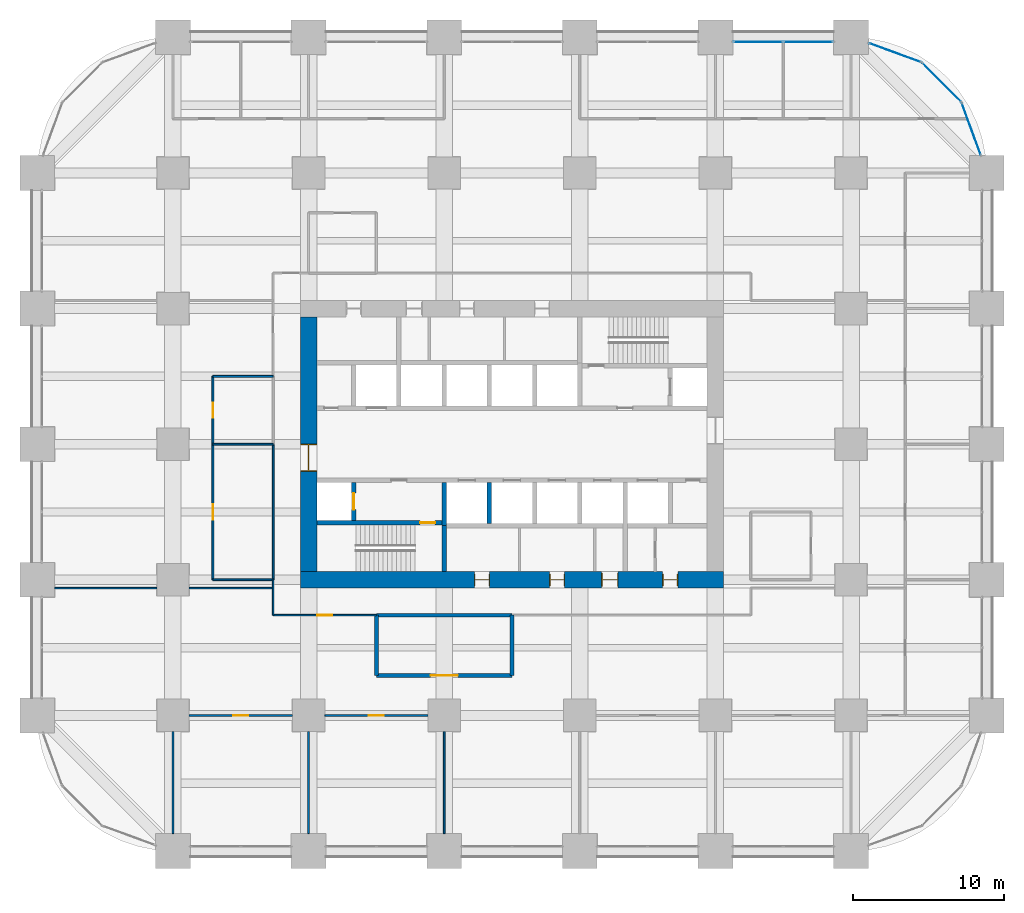
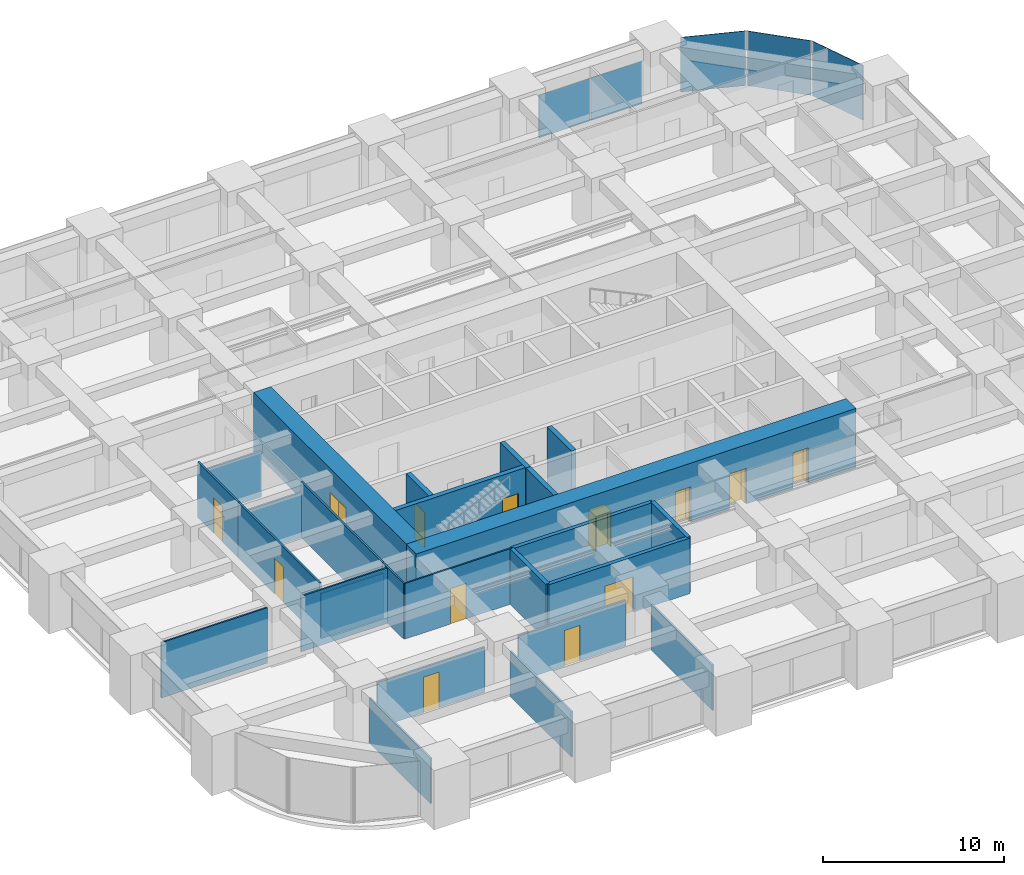
# One storey, part 39 of 44: 26 walls, 13 doors, 5 plates, 13 openings, 4 elements without a shape of their own.
"""IFC4 building model written with IfcOpenShell, lengths in metres."""

from ifc_helpers import new_model, si_unit, direction, frame, frame_2d, origin, origin_2d, place, context, subcontext, project, spatial, rectangle, extrude, material, layer, layer_set, type_object, element, fill, aggregate, save


model = new_model("IFC4")

# Units and contexts
model_context = context("Model", 3, precision=1e-05, world=origin(), true_north=direction((0.0, 1.0)))
body_context = subcontext(model_context, "Body", "Model", "MODEL_VIEW")
ifc_project = project(units=[si_unit("LENGTHUNIT", "METRE"), si_unit("AREAUNIT", "SQUARE_METRE"), si_unit("VOLUMEUNIT", "CUBIC_METRE"), si_unit("PLANEANGLEUNIT", "RADIAN"), si_unit("MASSUNIT", "GRAM", prefix="KILO")], contexts=[model_context])

# Site, building, storey
site_placement = place(None, origin())
site = spatial("IfcSite", under=ifc_project, at=site_placement, CompositionType="ELEMENT")
building_placement = place(site_placement, origin())
building = spatial("IfcBuilding", under=site, at=building_placement, Name="Zorevar Civic Tower", CompositionType="ELEMENT")
storey_placement = place(building_placement, frame((0.0, 0.0, 51.800048828125)))
storey = spatial("IfcBuildingStorey", under=building, at=storey_placement, Name="L12", CompositionType="ELEMENT", Elevation=51.800048828125)

# Curtain wall, plates
ifc_material_1 = material(Name="Dark grey solar-control glass in black aluminium frame", Category="aluminium")
curtain_wall_type = type_object("IfcCurtainWallType", Name="Curtain wall CW2 low zone", PredefinedType="NOTDEFINED", material=ifc_material_1)
curtain_wall_1_placement = place(storey_placement, origin())
curtain_wall_1 = element("IfcCurtainWall", 1, at=curtain_wall_1_placement, inside=storey, type_object=curtain_wall_type, Name="CW2 L12", PredefinedType="NOTDEFINED")
ifc_material_2 = material(Name="Dark grey solar-control glass", Category="glass")
ifc_layer_1 = layer(ifc_material_2, 0.031982421875)
ifc_layer_set_1 = layer_set([ifc_layer_1], Name="CW2 panel 32")
plate_type = type_object("IfcPlateType", Name="CW2 panel 32", PredefinedType="CURTAIN_PANEL", material=ifc_layer_set_1)
plate_1_placement = place(storey_placement, frame((47.840087890625, 53.699951171875, 0.06005859375), z_axis=(0.0, 0.0, 1.0), x_axis=(1.0, 0.0, 0.0)))
plate_1 = element("IfcPlate", 2, at=plate_1_placement, type_object=plate_type, Name="CW2 panel 1.1", PredefinedType="CURTAIN_PANEL", context=body_context, shape_type="SweptSolid", body=[
    extrude(rectangle(XDim=3.260009765625, YDim=0.031982421875, at=origin_2d()), origin(), (0.0, 0.0, 1.0), 2.889892578125),
])
plate_2_placement = place(storey_placement, frame((51.159912109375, 53.699951171875, 0.06005859375), z_axis=(0.0, 0.0, 1.0), x_axis=(1.0, 0.0, 0.0)))
plate_2 = element("IfcPlate", 3, at=plate_2_placement, type_object=plate_type, Name="CW2 panel 2.1", PredefinedType="CURTAIN_PANEL", context=body_context, shape_type="SweptSolid", body=[
    extrude(rectangle(XDim=3.260009765625, YDim=0.031982421875, at=origin_2d()), origin(), (0.0, 0.0, 1.0), 2.889892578125),
])
aggregate(curtain_wall_1, [plate_1, plate_2])

# Curtain wall, plate
curtain_wall_2_placement = place(storey_placement, origin())
curtain_wall_2 = element("IfcCurtainWall", 4, at=curtain_wall_2_placement, inside=storey, type_object=curtain_wall_type, Name="CW2 L12", PredefinedType="NOTDEFINED")
plate_3_placement = place(storey_placement, frame((61.979248046875, 47.914306640625, 0.06005859375), z_axis=(0.0, 0.0, 1.0), x_axis=(-0.343060400701, 0.939313345732, 0.0)))
plate_3 = element("IfcPlate", 5, at=plate_3_placement, type_object=plate_type, Name="CW2 panel 1.1", PredefinedType="CURTAIN_PANEL", context=body_context, shape_type="SweptSolid", body=[
    extrude(rectangle(XDim=3.636474609375, YDim=0.031982421875, at=origin_2d()), origin(), (0.0, 0.0, 1.0), 3.68994140625),
])
aggregate(curtain_wall_2, [plate_3])

curtain_wall_3_placement = place(storey_placement, origin())
curtain_wall_3 = element("IfcCurtainWall", 6, at=curtain_wall_3_placement, inside=storey, type_object=curtain_wall_type, Name="CW2 L12", PredefinedType="NOTDEFINED")
plate_4_placement = place(storey_placement, frame((60.0068359375, 51.0068359375, 0.06005859375), z_axis=(0.0, 0.0, 1.0), x_axis=(-0.707106781187, 0.707106781187, 0.0)))
plate_4 = element("IfcPlate", 7, at=plate_4_placement, type_object=plate_type, Name="CW2 panel 1.1", PredefinedType="CURTAIN_PANEL", context=body_context, shape_type="SweptSolid", body=[
    extrude(rectangle(XDim=3.636474609375, YDim=0.031982421875, at=origin_2d()), origin(), (0.0, 0.0, 1.0), 3.68994140625),
])
aggregate(curtain_wall_3, [plate_4])

curtain_wall_4_placement = place(storey_placement, origin())
curtain_wall_4 = element("IfcCurtainWall", 8, at=curtain_wall_4_placement, inside=storey, type_object=curtain_wall_type, Name="CW2 L12", PredefinedType="NOTDEFINED")
plate_5_placement = place(storey_placement, frame((56.914306640625, 52.979248046875, 0.06005859375), z_axis=(0.0, 0.0, 1.0), x_axis=(-0.939313345732, 0.343060400701, 0.0)))
plate_5 = element("IfcPlate", 9, at=plate_5_placement, type_object=plate_type, Name="CW2 panel 1.1", PredefinedType="CURTAIN_PANEL", context=body_context, shape_type="SweptSolid", body=[
    extrude(rectangle(XDim=3.636474609375, YDim=0.031982421875, at=origin_2d()), origin(), (0.0, 0.0, 1.0), 3.68994140625),
])
aggregate(curtain_wall_4, [plate_5])

# Wall, opening, door
ifc_material_3 = material(Name="Twin-stud acoustic wall, gypsum board")
ifc_layer_2 = layer(ifc_material_3, 0.25)
ifc_layer_set_2 = layer_set([ifc_layer_2], Name="Acoustic wall 250")
wall_type_1 = type_object("IfcWallType", Name="Acoustic wall 250", PredefinedType="PARTITIONING", material=ifc_layer_set_2)
wall_1_placement = place(storey_placement, frame((22.5, 11.64990234375, 0.0), z_axis=(0.0, 0.0, 1.0), x_axis=(1.0, 0.0, 0.0)))
wall_1 = element("IfcWall", 10, at=wall_1_placement, inside=storey, type_object=wall_type_1, Name="Acoustic wall 250 L12", PredefinedType="PARTITIONING", context=body_context, shape_type="SweptSolid", body=[
    extrude(rectangle(XDim=9.0, YDim=0.25, at=frame_2d((4.5, 0.0))), origin(), (0.0, 0.0, 1.0), 3.75),
])
opening_1_placement = place(wall_1_placement, frame((3.60009765625, 0.0, 0.0)))
opening_1 = element("IfcOpeningElement", 11, at=opening_1_placement, cuts=wall_1, Name="Opening L12.22", PredefinedType="OPENING", context=body_context, shape_type="SweptSolid", body=[
    extrude(rectangle(XDim=1.800048828125, YDim=2.39990234375, at=frame_2d((0.89990234375, 1.199951171875))), frame((0.0, 0.135009765625, 0.0), z_axis=(0.0, -1.0, 0.0), x_axis=(1.0, 0.0, 0.0)), (0.0, 0.0, 1.0), 0.27001953125),
])
ifc_material_4 = material(Name="Steel door set", Category="steel")
door_type_1 = type_object("IfcDoorType", Name="Door D2 1800x2400", OperationType="DOUBLE_DOOR_SINGLE_SWING", PredefinedType="DOOR", material=ifc_material_4)
door_1_placement = place(opening_1_placement, origin())
door_1 = element("IfcDoor", 12, at=door_1_placement, inside=storey, type_object=door_type_1, Name="Door L12 D1", OperationType="DOUBLE_DOOR_SINGLE_SWING", OverallHeight=2.39990234375, OverallWidth=1.800048828125, PredefinedType="DOOR", context=body_context, shape_type="SweptSolid", body=[
    extrude(rectangle(XDim=1.800048828125, YDim=2.39990234375, at=frame_2d((0.89990234375, 1.199951171875))), frame((0.0, 0.02490234375, 0.0), z_axis=(0.0, -1.0, 0.0), x_axis=(1.0, 0.0, 0.0)), (0.0, 0.0, 1.0), 0.050048828125),
])
fill(opening_1, door_1)

# Walls
wall_2_placement = place(storey_placement, frame((22.5, 15.64990234375, 0.0), z_axis=(0.0, 0.0, 1.0), x_axis=(1.0, 0.0, 0.0)))
element("IfcWall", 13, at=wall_2_placement, inside=storey, type_object=wall_type_1, Name="Acoustic wall 250 L12", PredefinedType="PARTITIONING", context=body_context, shape_type="SweptSolid", body=[
    extrude(rectangle(XDim=9.0, YDim=0.25, at=frame_2d((4.5, 0.0))), origin(), (0.0, 0.0, 1.0), 3.75),
])
for number, where, z_axis, x_axis, name in (
    (14, (22.5, 11.64990234375, 0.0), (0.0, 0.0, 1.0), (0.0, 1.0, 0.0), "Acoustic wall 250 L12"),
    (15, (31.5, 11.64990234375, 0.0), (0.0, 0.0, 1.0), (0.0, 1.0, 0.0), "Acoustic wall 250 L12"),
):
    element("IfcWall", number, at=place(storey_placement, frame(where, z_axis=z_axis, x_axis=x_axis)), inside=storey, type_object=wall_type_1, Name=name, PredefinedType="PARTITIONING", context=body_context, shape_type="SweptSolid", body=[
        extrude(rectangle(XDim=4.0, YDim=0.25, at=frame_2d((2.0, 0.0))), origin(), (0.0, 0.0, 1.0), 3.75),
    ])

# Wall, openings, doors
ifc_material_5 = material(Name="Concrete C50/60", Category="concrete")
ifc_layer_3 = layer(ifc_material_5, 1.10009765625)
ifc_layer_set_3 = layer_set([ifc_layer_3], Name="Core wall 1100")
wall_type_2 = type_object("IfcWallType", Name="Core wall 1100", PredefinedType="SHEAR", material=ifc_layer_set_3)
wall_3_placement = place(storey_placement, frame((17.449951171875, 18.0, 0.0), z_axis=(0.0, 0.0, 1.0), x_axis=(1.0, 0.0, 0.0)))
wall_3 = element("IfcWall", 16, at=wall_3_placement, inside=storey, type_object=wall_type_2, Name="Core wall S L12", PredefinedType="SHEAR", context=body_context, shape_type="SweptSolid", body=[
    extrude(rectangle(XDim=28.10009765625, YDim=1.10009765625, at=frame_2d((14.050048828125, 0.0))), origin(), (0.0, 0.0, 1.0), 4.0),
])
opening_2_placement = place(wall_3_placement, frame((11.550048828125, 0.0, 0.0)))
opening_2 = element("IfcOpeningElement", 17, at=opening_2_placement, cuts=wall_3, Name="Opening L12.03", PredefinedType="OPENING", context=body_context, shape_type="SweptSolid", body=[
    extrude(rectangle(XDim=1.0, YDim=2.39990234375, at=frame_2d((0.5, 1.199951171875))), frame((0.0, 0.56005859375, 0.0), z_axis=(0.0, -1.0, 0.0), x_axis=(1.0, 0.0, 0.0)), (0.0, 0.0, 1.0), 1.1201171875),
])
opening_3_placement = place(wall_3_placement, frame((16.550048828125, 0.0, 0.0)))
opening_3 = element("IfcOpeningElement", 18, at=opening_3_placement, cuts=wall_3, Name="Opening L12.04", PredefinedType="OPENING", context=body_context, shape_type="SweptSolid", body=[
    extrude(rectangle(XDim=1.0, YDim=2.39990234375, at=frame_2d((0.5, 1.199951171875))), frame((0.0, 0.56005859375, 0.0), z_axis=(0.0, -1.0, 0.0), x_axis=(1.0, 0.0, 0.0)), (0.0, 0.0, 1.0), 1.1201171875),
])
opening_4_placement = place(wall_3_placement, frame((20.0, 0.0, 0.0)))
opening_4 = element("IfcOpeningElement", 19, at=opening_4_placement, cuts=wall_3, Name="Opening L12.05", PredefinedType="OPENING", context=body_context, shape_type="SweptSolid", body=[
    extrude(rectangle(XDim=1.10009765625, YDim=2.39990234375, at=frame_2d((0.550048828125, 1.199951171875))), frame((0.0, 0.56005859375, 0.0), z_axis=(0.0, -1.0, 0.0), x_axis=(1.0, 0.0, 0.0)), (0.0, 0.0, 1.0), 1.1201171875),
])
opening_5_placement = place(wall_3_placement, frame((24.050048828125, 0.0, 0.0)))
opening_5 = element("IfcOpeningElement", 20, at=opening_5_placement, cuts=wall_3, Name="Opening L12.06", PredefinedType="OPENING", context=body_context, shape_type="SweptSolid", body=[
    extrude(rectangle(XDim=1.0, YDim=2.39990234375, at=frame_2d((0.5, 1.199951171875))), frame((0.0, 0.56005859375, 0.0), z_axis=(0.0, -1.0, 0.0), x_axis=(1.0, 0.0, 0.0)), (0.0, 0.0, 1.0), 1.1201171875),
])
ifc_material_6 = material(Name="Timber door set", Category="wood")
door_type_2 = type_object("IfcDoorType", Name="Door D1 1000x2400", OperationType="SINGLE_SWING_LEFT", PredefinedType="DOOR", material=ifc_material_6)
door_2_placement = place(opening_2_placement, origin())
door_2 = element("IfcDoor", 21, at=door_2_placement, inside=storey, type_object=door_type_2, Name="Door L12 02", OperationType="SINGLE_SWING_RIGHT", OverallHeight=2.39990234375, OverallWidth=1.0, PredefinedType="DOOR", context=body_context, shape_type="SweptSolid", body=[
    extrude(rectangle(XDim=1.0, YDim=2.39990234375, at=frame_2d((0.5, 1.199951171875))), frame((0.0, 0.02490234375, 0.0), z_axis=(0.0, -1.0, 0.0), x_axis=(1.0, 0.0, 0.0)), (0.0, 0.0, 1.0), 0.050048828125),
    extrude(rectangle(XDim=0.04, YDim=2.39990234375, at=frame_2d((0.02001953125, 1.199951171875))), frame((0.0, 0.39990234375, 0.0), z_axis=(0.0, -1.0, 0.0), x_axis=(1.0, 0.0, 0.0)), (0.0, 0.0, 1.0), 0.800048828125),
    extrude(rectangle(XDim=0.04, YDim=2.39990234375, at=frame_2d((0.97998046875, 1.199951171875))), frame((0.0, 0.39990234375, 0.0), z_axis=(0.0, -1.0, 0.0), x_axis=(1.0, 0.0, 0.0)), (0.0, 0.0, 1.0), 0.800048828125),
    extrude(rectangle(XDim=1.0, YDim=0.04, at=frame_2d((0.5, 2.3798828125))), frame((0.0, 0.39990234375, 0.0), z_axis=(0.0, -1.0, 0.0), x_axis=(1.0, 0.0, 0.0)), (0.0, 0.0, 1.0), 0.800048828125),
])
fill(opening_2, door_2)
door_3_placement = place(opening_3_placement, origin())
door_3 = element("IfcDoor", 22, at=door_3_placement, inside=storey, type_object=door_type_2, Name="Door L12 03", OperationType="SINGLE_SWING_LEFT", OverallHeight=2.39990234375, OverallWidth=1.0, PredefinedType="DOOR", context=body_context, shape_type="SweptSolid", body=[
    extrude(rectangle(XDim=1.0, YDim=2.39990234375, at=frame_2d((0.5, 1.199951171875))), frame((0.0, 0.02490234375, 0.0), z_axis=(0.0, -1.0, 0.0), x_axis=(1.0, 0.0, 0.0)), (0.0, 0.0, 1.0), 0.050048828125),
    extrude(rectangle(XDim=0.04, YDim=2.39990234375, at=frame_2d((0.02001953125, 1.199951171875))), frame((0.0, 0.39990234375, 0.0), z_axis=(0.0, -1.0, 0.0), x_axis=(1.0, 0.0, 0.0)), (0.0, 0.0, 1.0), 0.800048828125),
    extrude(rectangle(XDim=0.04, YDim=2.39990234375, at=frame_2d((0.97998046875, 1.199951171875))), frame((0.0, 0.39990234375, 0.0), z_axis=(0.0, -1.0, 0.0), x_axis=(1.0, 0.0, 0.0)), (0.0, 0.0, 1.0), 0.800048828125),
    extrude(rectangle(XDim=1.0, YDim=0.04, at=frame_2d((0.5, 2.3798828125))), frame((0.0, 0.39990234375, 0.0), z_axis=(0.0, -1.0, 0.0), x_axis=(1.0, 0.0, 0.0)), (0.0, 0.0, 1.0), 0.800048828125),
])
fill(opening_3, door_3)
door_4_placement = place(opening_5_placement, origin())
door_4 = element("IfcDoor", 23, at=door_4_placement, inside=storey, type_object=door_type_2, Name="Door L12 05", OperationType="SINGLE_SWING_LEFT", OverallHeight=2.39990234375, OverallWidth=1.0, PredefinedType="DOOR", context=body_context, shape_type="SweptSolid", body=[
    extrude(rectangle(XDim=1.0, YDim=2.39990234375, at=frame_2d((0.5, 1.199951171875))), frame((0.0, 0.02490234375, 0.0), z_axis=(0.0, -1.0, 0.0), x_axis=(1.0, 0.0, 0.0)), (0.0, 0.0, 1.0), 0.050048828125),
    extrude(rectangle(XDim=0.04, YDim=2.39990234375, at=frame_2d((0.02001953125, 1.199951171875))), frame((0.0, 0.39990234375, 0.0), z_axis=(0.0, -1.0, 0.0), x_axis=(1.0, 0.0, 0.0)), (0.0, 0.0, 1.0), 0.800048828125),
    extrude(rectangle(XDim=0.04, YDim=2.39990234375, at=frame_2d((0.97998046875, 1.199951171875))), frame((0.0, 0.39990234375, 0.0), z_axis=(0.0, -1.0, 0.0), x_axis=(1.0, 0.0, 0.0)), (0.0, 0.0, 1.0), 0.800048828125),
    extrude(rectangle(XDim=1.0, YDim=0.04, at=frame_2d((0.5, 2.3798828125))), frame((0.0, 0.39990234375, 0.0), z_axis=(0.0, -1.0, 0.0), x_axis=(1.0, 0.0, 0.0)), (0.0, 0.0, 1.0), 0.800048828125),
])
fill(opening_5, door_4)
ifc_material_7 = material(Name="Timber door set", Category="wood")
door_type_3 = type_object("IfcDoorType", Name="Door D5 1100x2400", OperationType="SINGLE_SWING_LEFT", PredefinedType="DOOR", material=ifc_material_7)
door_5_placement = place(opening_4_placement, origin())
door_5 = element("IfcDoor", 24, at=door_5_placement, inside=storey, type_object=door_type_3, Name="Door L12 04", OperationType="SINGLE_SWING_LEFT", OverallHeight=2.39990234375, OverallWidth=1.10009765625, PredefinedType="DOOR", context=body_context, shape_type="SweptSolid", body=[
    extrude(rectangle(XDim=1.10009765625, YDim=2.39990234375, at=frame_2d((0.550048828125, 1.199951171875))), frame((0.0, 0.02490234375, 0.0), z_axis=(0.0, -1.0, 0.0), x_axis=(1.0, 0.0, 0.0)), (0.0, 0.0, 1.0), 0.050048828125),
    extrude(rectangle(XDim=0.04, YDim=2.39990234375, at=frame_2d((0.02001953125, 1.199951171875))), frame((0.0, 0.43994140625, 0.0), z_axis=(0.0, -1.0, 0.0), x_axis=(1.0, 0.0, 0.0)), (0.0, 0.0, 1.0), 0.880126953125),
    extrude(rectangle(XDim=0.04, YDim=2.39990234375, at=frame_2d((1.080078125, 1.199951171875))), frame((0.0, 0.43994140625, 0.0), z_axis=(0.0, -1.0, 0.0), x_axis=(1.0, 0.0, 0.0)), (0.0, 0.0, 1.0), 0.880126953125),
    extrude(rectangle(XDim=1.10009765625, YDim=0.04, at=frame_2d((0.550048828125, 2.3798828125))), frame((0.0, 0.43994140625, 0.0), z_axis=(0.0, -1.0, 0.0), x_axis=(1.0, 0.0, 0.0)), (0.0, 0.0, 1.0), 0.880126953125),
])
fill(opening_4, door_5)

# Wall, opening, door
wall_4_placement = place(storey_placement, frame((18.0, 35.449951171875, 0.0), z_axis=(0.0, 0.0, 1.0), x_axis=(0.0, -1.0, 0.0)))
wall_4 = element("IfcWall", 25, at=wall_4_placement, inside=storey, type_object=wall_type_2, Name="Core wall W L12", PredefinedType="SHEAR", context=body_context, shape_type="SweptSolid", body=[
    extrude(rectangle(XDim=16.89990234375, YDim=1.10009765625, at=frame_2d((8.449951171875, 0.0))), origin(), (0.0, 0.0, 1.0), 4.0),
])
opening_6_placement = place(wall_4_placement, frame((8.449951171875, 0.0, 0.0)))
opening_6 = element("IfcOpeningElement", 26, at=opening_6_placement, cuts=wall_4, Name="Opening L12.01", PredefinedType="OPENING", context=body_context, shape_type="SweptSolid", body=[
    extrude(rectangle(XDim=1.800048828125, YDim=2.39990234375, at=frame_2d((0.89990234375, 1.199951171875))), frame((0.0, 0.56005859375, 0.0), z_axis=(0.0, -1.0, 0.0), x_axis=(1.0, 0.0, 0.0)), (0.0, 0.0, 1.0), 1.1201171875),
])
ifc_material_8 = material(Name="Steel door set", Category="steel")
door_type_4 = type_object("IfcDoorType", Name="Fire door FD2 1800x2400", OperationType="DOUBLE_DOOR_DOUBLE_SWING", PredefinedType="DOOR", material=ifc_material_8)
door_6_placement = place(opening_6_placement, origin())
door_6 = element("IfcDoor", 27, at=door_6_placement, inside=storey, type_object=door_type_4, Name="Door L12 00", OperationType="DOUBLE_DOOR_DOUBLE_SWING", OverallHeight=2.39990234375, OverallWidth=1.800048828125, PredefinedType="DOOR", context=body_context, shape_type="SweptSolid", body=[
    extrude(rectangle(XDim=1.800048828125, YDim=2.39990234375, at=frame_2d((0.89990234375, 1.199951171875))), frame((0.0, 0.030029296875, 0.0), z_axis=(0.0, -1.0, 0.0), x_axis=(1.0, 0.0, 0.0)), (0.0, 0.0, 1.0), 0.06005859375),
    extrude(rectangle(XDim=0.04, YDim=2.39990234375, at=frame_2d((0.02001953125, 1.199951171875))), frame((0.0, 0.5498046875, 0.0), z_axis=(0.0, -1.0, 0.0), x_axis=(1.0, 0.0, 0.0)), (0.0, 0.0, 1.0), 1.099609375),
    extrude(rectangle(XDim=0.04, YDim=2.39990234375, at=frame_2d((1.780029296875, 1.199951171875))), frame((0.0, 0.5498046875, 0.0), z_axis=(0.0, -1.0, 0.0), x_axis=(1.0, 0.0, 0.0)), (0.0, 0.0, 1.0), 1.099609375),
    extrude(rectangle(XDim=1.800048828125, YDim=0.04, at=frame_2d((0.89990234375, 2.3798828125))), frame((0.0, 0.5498046875, 0.0), z_axis=(0.0, -1.0, 0.0), x_axis=(1.0, 0.0, 0.0)), (0.0, 0.0, 1.0), 1.099609375),
])
fill(opening_6, door_6)

ifc_material_9 = material(Name="Laminated glass in black aluminium frame", Category="aluminium")
ifc_layer_4 = layer(ifc_material_9, 0.10009765625)
ifc_layer_set_4 = layer_set([ifc_layer_4], Name="Glazed partition 100")
wall_type_3 = type_object("IfcWallType", Name="Glazed partition 100", PredefinedType="PARTITIONING", material=ifc_layer_set_4)
wall_5_placement = place(storey_placement, frame((15.64990234375, 15.64990234375, 0.0), z_axis=(0.0, 0.0, 1.0), x_axis=(1.0, 0.0, 0.0)))
wall_5 = element("IfcWall", 28, at=wall_5_placement, inside=storey, type_object=wall_type_3, Name="Glazed partition 100 L12", PredefinedType="PARTITIONING", context=body_context, shape_type="SweptSolid", body=[
    extrude(rectangle(XDim=6.85009765625, YDim=0.10009765625, at=frame_2d((3.425048828125, 0.0))), origin(), (0.0, 0.0, 1.0), 3.75),
])
opening_7_placement = place(wall_5_placement, frame((2.925048828125, 0.0, 0.0)))
opening_7 = element("IfcOpeningElement", 29, at=opening_7_placement, cuts=wall_5, Name="Opening L12.23", PredefinedType="OPENING", context=body_context, shape_type="SweptSolid", body=[
    extrude(rectangle(XDim=1.0, YDim=2.39990234375, at=frame_2d((0.5, 1.199951171875))), frame((0.0, 0.06005859375, 0.0), z_axis=(0.0, -1.0, 0.0), x_axis=(1.0, 0.0, 0.0)), (0.0, 0.0, 1.0), 0.1201171875),
])
ifc_material_10 = material(Name="Timber door set", Category="wood")
door_type_5 = type_object("IfcDoorType", Name="Glazed door GD1 1000x2400", OperationType="SINGLE_SWING_LEFT", PredefinedType="DOOR", material=ifc_material_10)
door_7_placement = place(opening_7_placement, origin())
door_7 = element("IfcDoor", 30, at=door_7_placement, inside=storey, type_object=door_type_5, Name="Door L12 D1", OperationType="SINGLE_SWING_RIGHT", OverallHeight=2.39990234375, OverallWidth=1.0, PredefinedType="DOOR", context=body_context, shape_type="SweptSolid", body=[
    extrude(rectangle(XDim=1.0, YDim=2.39990234375, at=frame_2d((0.5, 1.199951171875))), frame((0.0, 0.02001953125, 0.0), z_axis=(0.0, -1.0, 0.0), x_axis=(1.0, 0.0, 0.0)), (0.0, 0.0, 1.0), 0.0400390625),
])
fill(opening_7, door_7)

# Walls
wall_6_placement = place(storey_placement, frame((1.14990234375, 17.449951171875, 0.0), z_axis=(0.0, 0.0, 1.0), x_axis=(1.0, 0.0, 0.0)))
element("IfcWall", 31, at=wall_6_placement, inside=storey, type_object=wall_type_3, Name="Glazed partition 100 L12", PredefinedType="PARTITIONING", context=body_context, shape_type="SweptSolid", body=[
    extrude(rectangle(XDim=6.775146484375, YDim=0.10009765625, at=frame_2d((3.3876953125, 0.0))), origin(), (0.0, 0.0, 1.0), 3.75),
])
wall_7_placement = place(storey_placement, frame((10.074951171875, 17.449951171875, 0.0), z_axis=(0.0, 0.0, 1.0), x_axis=(1.0, 0.0, 0.0)))
element("IfcWall", 32, at=wall_7_placement, inside=storey, type_object=wall_type_3, Name="Glazed partition 100 L12", PredefinedType="PARTITIONING", context=body_context, shape_type="SweptSolid", body=[
    extrude(rectangle(XDim=5.574951171875, YDim=0.10009765625, at=frame_2d((2.78759765625, 0.0))), origin(), (0.0, 0.0, 1.0), 3.75),
])
wall_8_placement = place(storey_placement, frame((15.64990234375, 15.64990234375, 0.0), z_axis=(0.0, 0.0, 1.0), x_axis=(0.0, 1.0, 0.0)))
element("IfcWall", 33, at=wall_8_placement, inside=storey, type_object=wall_type_3, Name="Glazed partition 100 L12", PredefinedType="PARTITIONING", context=body_context, shape_type="SweptSolid", body=[
    extrude(rectangle(XDim=2.35009765625, YDim=0.10009765625, at=frame_2d((1.175048828125, 0.0))), origin(), (0.0, 0.0, 1.0), 3.75),
])

# Wall, opening, door
ifc_material_11 = material(Name="Concrete C40/50", Category="concrete")
ifc_layer_5 = layer(ifc_material_11, 0.300048828125)
ifc_layer_set_5 = layer_set([ifc_layer_5], Name="Inner core wall 300")
wall_type_4 = type_object("IfcWallType", Name="Inner core wall 300", PredefinedType="SHEAR", material=ifc_layer_set_5)
wall_9_placement = place(storey_placement, frame((18.550048828125, 21.800048828125, 0.0), z_axis=(0.0, 0.0, 1.0), x_axis=(1.0, 0.0, 0.0)))
wall_9 = element("IfcWall", 34, at=wall_9_placement, inside=storey, type_object=wall_type_4, Name="Inner core wall S00 L12", PredefinedType="SHEAR", context=body_context, shape_type="SweptSolid", body=[
    extrude(rectangle(XDim=8.300048828125, YDim=0.300048828125, at=frame_2d((4.14990234375, 0.0))), origin(), (0.0, 0.0, 1.0), 4.0),
])
opening_8_placement = place(wall_9_placement, frame((6.85009765625, 0.0, 0.0)))
opening_8 = element("IfcOpeningElement", 35, at=opening_8_placement, cuts=wall_9, Name="Opening L12.11", PredefinedType="OPENING", context=body_context, shape_type="SweptSolid", body=[
    extrude(rectangle(XDim=1.0, YDim=2.39990234375, at=frame_2d((0.5, 1.199951171875))), frame((0.0, 0.159912109375, 0.0), z_axis=(0.0, -1.0, 0.0), x_axis=(1.0, 0.0, 0.0)), (0.0, 0.0, 1.0), 0.320068359375),
])
ifc_material_12 = material(Name="Steel door set", Category="steel")
door_type_6 = type_object("IfcDoorType", Name="Fire door FD1 1000x2400", OperationType="SINGLE_SWING_LEFT", PredefinedType="DOOR", material=ifc_material_12)
door_8_placement = place(opening_8_placement, origin())
door_8 = element("IfcDoor", 36, at=door_8_placement, inside=storey, type_object=door_type_6, Name="Door L12 10", OperationType="SINGLE_SWING_RIGHT", OverallHeight=2.39990234375, OverallWidth=1.0, PredefinedType="DOOR", context=body_context, shape_type="SweptSolid", body=[
    extrude(rectangle(XDim=1.0, YDim=2.39990234375, at=frame_2d((0.5, 1.199951171875))), frame((0.0, 0.030029296875, 0.0), z_axis=(0.0, -1.0, 0.0), x_axis=(1.0, 0.0, 0.0)), (0.0, 0.0, 1.0), 0.06005859375),
])
fill(opening_8, door_8)

# Wall
wall_10_placement = place(storey_placement, frame((27.0, 18.550048828125, 0.0), z_axis=(0.0, 0.0, 1.0), x_axis=(0.0, 1.0, 0.0)))
element("IfcWall", 37, at=wall_10_placement, inside=storey, type_object=wall_type_4, Name="Inner core wall S01 L12", PredefinedType="SHEAR", context=body_context, shape_type="SweptSolid", body=[
    extrude(rectangle(XDim=3.050048828125, YDim=0.300048828125, at=frame_2d((1.52490234375, 0.0))), origin(), (0.0, 0.0, 1.0), 4.0),
])

# Wall, opening, door
wall_11_placement = place(storey_placement, frame((21.0, 21.949951171875, 0.0), z_axis=(0.0, 0.0, 1.0), x_axis=(0.0, 1.0, 0.0)))
wall_11 = element("IfcWall", 38, at=wall_11_placement, inside=storey, type_object=wall_type_4, Name="Inner core wall S02 L12", PredefinedType="SHEAR", context=body_context, shape_type="SweptSolid", body=[
    extrude(rectangle(XDim=2.5, YDim=0.300048828125, at=frame_2d((1.25, 0.0))), origin(), (0.0, 0.0, 1.0), 4.0),
])
opening_9_placement = place(wall_11_placement, frame((0.699951171875, 0.0, 0.0)))
opening_9 = element("IfcOpeningElement", 39, at=opening_9_placement, cuts=wall_11, Name="Opening L12.FL1", PredefinedType="OPENING", context=body_context, shape_type="SweptSolid", body=[
    extrude(rectangle(XDim=1.10009765625, YDim=2.39990234375, at=frame_2d((0.550048828125, 1.199951171875))), frame((0.0, 0.159912109375, 0.0), z_axis=(0.0, -1.0, 0.0), x_axis=(1.0, 0.0, 0.0)), (0.0, 0.0, 1.0), 0.320068359375),
])
ifc_material_13 = material(Name="Steel door set", Category="steel")
door_type_7 = type_object("IfcDoorType", Name="Firefighting lift landing door LD3 1100x2400", OperationType="DOUBLE_DOOR_SLIDING", PredefinedType="DOOR", material=ifc_material_13)
door_9_placement = place(opening_9_placement, origin())
door_9 = element("IfcDoor", 40, at=door_9_placement, inside=storey, type_object=door_type_7, Name="Landing door FL1 L12", OperationType="DOUBLE_DOOR_SLIDING", OverallHeight=2.39990234375, OverallWidth=1.10009765625, PredefinedType="DOOR", context=body_context, shape_type="SweptSolid", body=[
    extrude(rectangle(XDim=1.10009765625, YDim=2.39990234375, at=frame_2d((0.550048828125, 1.199951171875))), frame((0.0, 0.030029296875, 0.0), z_axis=(0.0, -1.0, 0.0), x_axis=(1.0, 0.0, 0.0)), (0.0, 0.0, 1.0), 0.06005859375),
])
fill(opening_9, door_9)

# Walls
wall_12_placement = place(storey_placement, frame((30.0, 21.75, 0.0), z_axis=(0.0, 0.0, 1.0), x_axis=(0.0, 1.0, 0.0)))
element("IfcWall", 41, at=wall_12_placement, inside=storey, type_object=wall_type_4, Name="Inner core wall S05 L12", PredefinedType="SHEAR", context=body_context, shape_type="SweptSolid", body=[
    extrude(rectangle(XDim=2.699951171875, YDim=0.300048828125, at=frame_2d((1.35009765625, 0.0))), origin(), (0.0, 0.0, 1.0), 4.0),
])
wall_13_placement = place(storey_placement, frame((27.0, 21.60009765625, 0.0), z_axis=(0.0, 0.0, 1.0), x_axis=(0.0, 1.0, 0.0)))
element("IfcWall", 42, at=wall_13_placement, inside=storey, type_object=wall_type_4, Name="Inner core wall S10 L12", PredefinedType="SHEAR", context=body_context, shape_type="SweptSolid", body=[
    extrude(rectangle(XDim=2.849853515625, YDim=0.300048828125, at=frame_2d((1.4248046875, 0.0))), origin(), (0.0, 0.0, 1.0), 4.0),
])

# Wall, opening, door
ifc_material_14 = material(Name="Gypsum board on steel studs", Category="steel")
ifc_layer_6 = layer(ifc_material_14, 0.1201171875)
ifc_layer_set_6 = layer_set([ifc_layer_6], Name="Partition 120")
wall_type_5 = type_object("IfcWallType", Name="Partition 120", PredefinedType="PARTITIONING", material=ifc_layer_set_6)
wall_14_placement = place(storey_placement, frame((10.074951171875, 9.0, 0.0), z_axis=(0.0, 0.0, 1.0), x_axis=(1.0, 0.0, 0.0)))
wall_14 = element("IfcWall", 43, at=wall_14_placement, inside=storey, type_object=wall_type_5, Name="Partition 120 L12", PredefinedType="PARTITIONING", context=body_context, shape_type="SweptSolid", body=[
    extrude(rectangle(XDim=6.85009765625, YDim=0.1201171875, at=frame_2d((3.425048828125, 0.0))), origin(), (0.0, 0.0, 1.0), 3.050048828125),
])
opening_10_placement = place(wall_14_placement, frame((2.925048828125, 0.0, 0.0)))
opening_10 = element("IfcOpeningElement", 44, at=opening_10_placement, cuts=wall_14, Name="Opening L12.17", PredefinedType="OPENING", context=body_context, shape_type="SweptSolid", body=[
    extrude(rectangle(XDim=1.0, YDim=2.39990234375, at=frame_2d((0.5, 1.199951171875))), frame((0.0, 0.070068359375, 0.0), z_axis=(0.0, -1.0, 0.0), x_axis=(1.0, 0.0, 0.0)), (0.0, 0.0, 1.0), 0.14013671875),
])
door_10_placement = place(opening_10_placement, origin())
door_10 = element("IfcDoor", 45, at=door_10_placement, inside=storey, type_object=door_type_2, Name="Door L12 D1", OperationType="SINGLE_SWING_RIGHT", OverallHeight=2.39990234375, OverallWidth=1.0, PredefinedType="DOOR", context=body_context, shape_type="SweptSolid", body=[
    extrude(rectangle(XDim=1.0, YDim=2.39990234375, at=frame_2d((0.5, 1.199951171875))), frame((0.0, 0.02490234375, 0.0), z_axis=(0.0, -1.0, 0.0), x_axis=(1.0, 0.0, 0.0)), (0.0, 0.0, 1.0), 0.050048828125),
])
fill(opening_10, door_10)

wall_15_placement = place(storey_placement, frame((19.074951171875, 9.0, 0.0), z_axis=(0.0, 0.0, 1.0), x_axis=(1.0, 0.0, 0.0)))
wall_15 = element("IfcWall", 46, at=wall_15_placement, inside=storey, type_object=wall_type_5, Name="Partition 120 L12", PredefinedType="PARTITIONING", context=body_context, shape_type="SweptSolid", body=[
    extrude(rectangle(XDim=6.85009765625, YDim=0.1201171875, at=frame_2d((3.425048828125, 0.0))), origin(), (0.0, 0.0, 1.0), 3.050048828125),
])
opening_11_placement = place(wall_15_placement, frame((2.925048828125, 0.0, 0.0)))
opening_11 = element("IfcOpeningElement", 47, at=opening_11_placement, cuts=wall_15, Name="Opening L12.18", PredefinedType="OPENING", context=body_context, shape_type="SweptSolid", body=[
    extrude(rectangle(XDim=1.0, YDim=2.39990234375, at=frame_2d((0.5, 1.199951171875))), frame((0.0, 0.070068359375, 0.0), z_axis=(0.0, -1.0, 0.0), x_axis=(1.0, 0.0, 0.0)), (0.0, 0.0, 1.0), 0.14013671875),
])
door_11_placement = place(opening_11_placement, origin())
door_11 = element("IfcDoor", 48, at=door_11_placement, inside=storey, type_object=door_type_2, Name="Door L12 D1", OperationType="SINGLE_SWING_LEFT", OverallHeight=2.39990234375, OverallWidth=1.0, PredefinedType="DOOR", context=body_context, shape_type="SweptSolid", body=[
    extrude(rectangle(XDim=1.0, YDim=2.39990234375, at=frame_2d((0.5, 1.199951171875))), frame((0.0, 0.02490234375, 0.0), z_axis=(0.0, -1.0, 0.0), x_axis=(1.0, 0.0, 0.0)), (0.0, 0.0, 1.0), 0.050048828125),
])
fill(opening_11, door_11)

# Walls
for number, where, z_axis, x_axis, name in (
    (49, (11.64990234375, 18.0, 0.0), (0.0, 0.0, 1.0), (1.0, 0.0, 0.0), "Partition 120 L12"),
    (50, (11.64990234375, 27.0, 0.0), (0.0, 0.0, 1.0), (1.0, 0.0, 0.0), "Partition 120 L12"),
):
    element("IfcWall", number, at=place(storey_placement, frame(where, z_axis=z_axis, x_axis=x_axis)), inside=storey, type_object=wall_type_5, Name=name, PredefinedType="PARTITIONING", context=body_context, shape_type="SweptSolid", body=[
        extrude(rectangle(XDim=4.0, YDim=0.1201171875, at=frame_2d((2.0, 0.0))), origin(), (0.0, 0.0, 1.0), 3.050048828125),
    ])
wall_16_placement = place(storey_placement, frame((11.64990234375, 31.5, 0.0), z_axis=(0.0, 0.0, 1.0), x_axis=(1.0, 0.0, 0.0)))
element("IfcWall", 51, at=wall_16_placement, inside=storey, type_object=wall_type_5, Name="Partition 120 L12", PredefinedType="PARTITIONING", context=body_context, shape_type="SweptSolid", body=[
    extrude(rectangle(XDim=4.0, YDim=0.1201171875, at=frame_2d((2.0, 0.0))), origin(), (0.0, 0.0, 1.0), 3.099853515625),
])
wall_17_placement = place(storey_placement, frame((9.0, 1.14990234375, 0.0), z_axis=(0.0, 0.0, 1.0), x_axis=(0.0, 1.0, 0.0)))
element("IfcWall", 52, at=wall_17_placement, inside=storey, type_object=wall_type_5, Name="Partition 120 L12", PredefinedType="PARTITIONING", context=body_context, shape_type="SweptSolid", body=[
    extrude(rectangle(XDim=6.775146484375, YDim=0.1201171875, at=frame_2d((3.3876953125, 0.0))), origin(), (0.0, 0.0, 1.0), 3.050048828125),
])

# Wall, opening, door
wall_18_placement = place(storey_placement, frame((11.64990234375, 18.0, 0.0), z_axis=(0.0, 0.0, 1.0), x_axis=(0.0, 1.0, 0.0)))
wall_18 = element("IfcWall", 53, at=wall_18_placement, inside=storey, type_object=wall_type_5, Name="Partition 120 L12", PredefinedType="PARTITIONING", context=body_context, shape_type="SweptSolid", body=[
    extrude(rectangle(XDim=9.0, YDim=0.1201171875, at=frame_2d((4.5, 0.0))), origin(), (0.0, 0.0, 1.0), 3.75),
])
opening_12_placement = place(wall_18_placement, frame((4.0, 0.0, 0.0)))
opening_12 = element("IfcOpeningElement", 54, at=opening_12_placement, cuts=wall_18, Name="Opening L12.33", PredefinedType="OPENING", context=body_context, shape_type="SweptSolid", body=[
    extrude(rectangle(XDim=1.0, YDim=2.39990234375, at=frame_2d((0.5, 1.199951171875))), frame((0.0, 0.070068359375, 0.0), z_axis=(0.0, -1.0, 0.0), x_axis=(1.0, 0.0, 0.0)), (0.0, 0.0, 1.0), 0.14013671875),
])
door_12_placement = place(opening_12_placement, origin())
door_12 = element("IfcDoor", 55, at=door_12_placement, inside=storey, type_object=door_type_2, Name="Door L12 D1", OperationType="SINGLE_SWING_RIGHT", OverallHeight=2.39990234375, OverallWidth=1.0, PredefinedType="DOOR", context=body_context, shape_type="SweptSolid", body=[
    extrude(rectangle(XDim=1.0, YDim=2.39990234375, at=frame_2d((0.5, 1.199951171875))), frame((0.0, 0.02490234375, 0.0), z_axis=(0.0, -1.0, 0.0), x_axis=(1.0, 0.0, 0.0)), (0.0, 0.0, 1.0), 0.050048828125),
])
fill(opening_12, door_12)

wall_19_placement = place(storey_placement, frame((11.64990234375, 27.0, 0.0), z_axis=(0.0, 0.0, 1.0), x_axis=(0.0, 1.0, 0.0)))
wall_19 = element("IfcWall", 56, at=wall_19_placement, inside=storey, type_object=wall_type_5, Name="Partition 120 L12", PredefinedType="PARTITIONING", context=body_context, shape_type="SweptSolid", body=[
    extrude(rectangle(XDim=4.5, YDim=0.1201171875, at=frame_2d((2.25, 0.0))), origin(), (0.0, 0.0, 1.0), 3.75),
])
opening_13_placement = place(wall_19_placement, frame((1.75, 0.0, 0.0)))
opening_13 = element("IfcOpeningElement", 57, at=opening_13_placement, cuts=wall_19, Name="Opening L12.34", PredefinedType="OPENING", context=body_context, shape_type="SweptSolid", body=[
    extrude(rectangle(XDim=1.0, YDim=2.39990234375, at=frame_2d((0.5, 1.199951171875))), frame((0.0, 0.070068359375, 0.0), z_axis=(0.0, -1.0, 0.0), x_axis=(1.0, 0.0, 0.0)), (0.0, 0.0, 1.0), 0.14013671875),
])
door_13_placement = place(opening_13_placement, origin())
door_13 = element("IfcDoor", 58, at=door_13_placement, inside=storey, type_object=door_type_2, Name="Door L12 D1", OperationType="SINGLE_SWING_LEFT", OverallHeight=2.39990234375, OverallWidth=1.0, PredefinedType="DOOR", context=body_context, shape_type="SweptSolid", body=[
    extrude(rectangle(XDim=1.0, YDim=2.39990234375, at=frame_2d((0.5, 1.199951171875))), frame((0.0, 0.02490234375, 0.0), z_axis=(0.0, -1.0, 0.0), x_axis=(1.0, 0.0, 0.0)), (0.0, 0.0, 1.0), 0.050048828125),
])
fill(opening_13, door_13)

# Walls
wall_20_placement = place(storey_placement, frame((15.64990234375, 18.0, 0.0), z_axis=(0.0, 0.0, 1.0), x_axis=(0.0, 1.0, 0.0)))
element("IfcWall", 59, at=wall_20_placement, inside=storey, type_object=wall_type_5, Name="Partition 120 L12", PredefinedType="PARTITIONING", context=body_context, shape_type="SweptSolid", body=[
    extrude(rectangle(XDim=9.0, YDim=0.1201171875, at=frame_2d((4.5, 0.0))), origin(), (0.0, 0.0, 1.0), 3.75),
])
for number, where, z_axis, x_axis, name in (
    (60, (18.0, 1.14990234375, 0.0), (0.0, 0.0, 1.0), (0.0, 1.0, 0.0), "Partition 120 L12"),
    (61, (27.0, 1.14990234375, 0.0), (0.0, 0.0, 1.0), (0.0, 1.0, 0.0), "Partition 120 L12"),
):
    element("IfcWall", number, at=place(storey_placement, frame(where, z_axis=z_axis, x_axis=x_axis)), inside=storey, type_object=wall_type_5, Name=name, PredefinedType="PARTITIONING", context=body_context, shape_type="SweptSolid", body=[
        extrude(rectangle(XDim=6.775146484375, YDim=0.1201171875, at=frame_2d((3.3876953125, 0.0))), origin(), (0.0, 0.0, 1.0), 3.050048828125),
    ])

save(model, "model.ifc")
